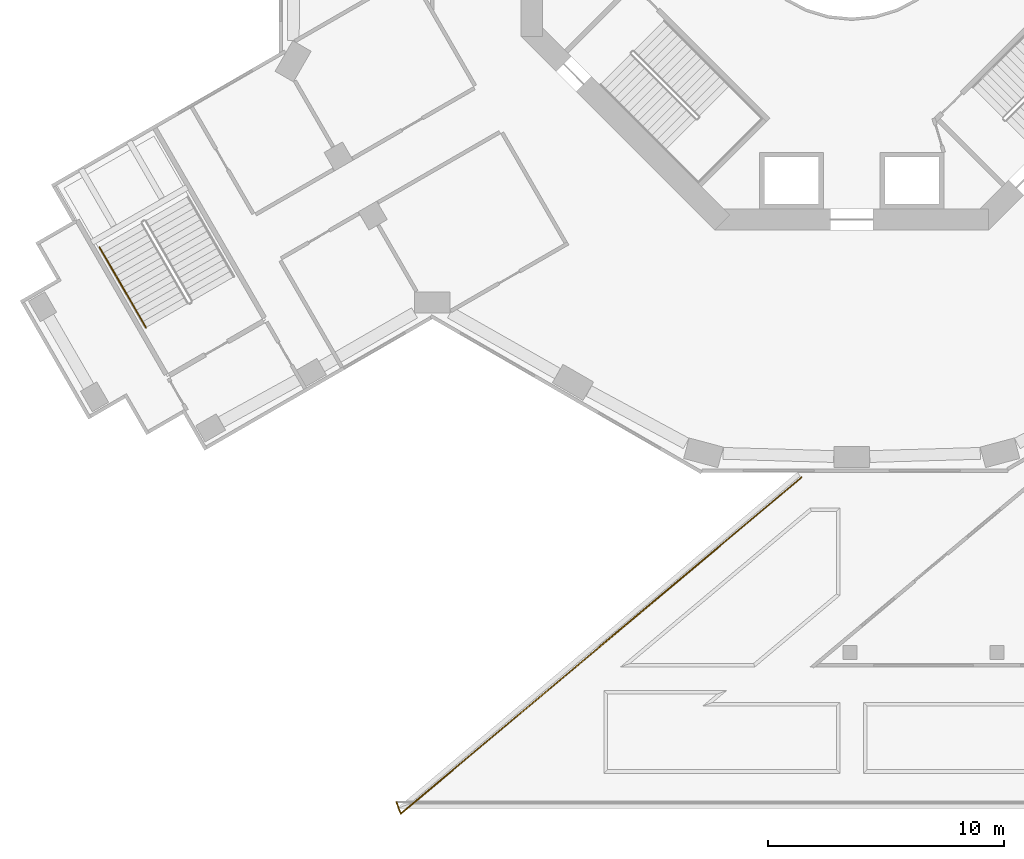
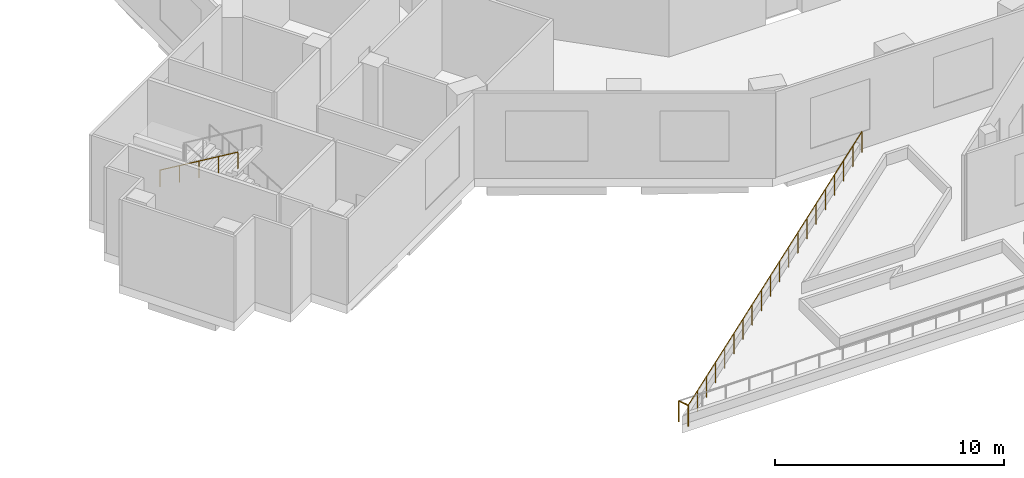
# One storey, part 17 of 24: 3 railings.
"""IFC4 building model written with IfcOpenShell, lengths in metres."""

from ifc_helpers import new_model, si_unit, direction, frame, origin, origin_2d, place, context, subcontext, project, spatial, circle, extrude, material, type_object, element, save


model = new_model("IFC4")

# Units and contexts
model_context = context("Model", 3, precision=1e-05, world=origin(), true_north=direction((0.0, 1.0)))
body_context = subcontext(model_context, "Body", "Model", "MODEL_VIEW")
ifc_project = project(units=[si_unit("LENGTHUNIT", "METRE"), si_unit("AREAUNIT", "SQUARE_METRE"), si_unit("VOLUMEUNIT", "CUBIC_METRE"), si_unit("PLANEANGLEUNIT", "RADIAN"), si_unit("MASSUNIT", "GRAM", prefix="KILO")], contexts=[model_context])

# Site, building, storey
site_placement = place(None, origin())
site = spatial("IfcSite", under=ifc_project, at=site_placement, CompositionType="ELEMENT")
building_placement = place(site_placement, origin())
building = spatial("IfcBuilding", under=site, at=building_placement, Name="Verdalira Terraces Hotel", CompositionType="ELEMENT")
storey_placement = place(building_placement, frame((0.0, 0.0, 14.0)))
storey = spatial("IfcBuildingStorey", under=building, at=storey_placement, Name="L02", CompositionType="ELEMENT", Elevation=14.0)

# Railings
ifc_material_1 = material(Name="Stainless steel", Category="steel")
railing_type_1 = type_object("IfcRailingType", Name="Stair handrail 900", PredefinedType="HANDRAIL", material=ifc_material_1)
railing_1_placement = place(storey_placement, frame((-31.852539, -14.729736, 2.666748)))
element("IfcRailing", 1, at=railing_1_placement, inside=storey, type_object=railing_type_1, Name="L02 PS2 stair handrail 2", PredefinedType="HANDRAIL", context=body_context, shape_type="SweptSolid", body=[
    extrude(circle(Radius=0.023926, at=origin_2d()), frame((0.0, 0.0, 0.875977), z_axis=(0.429646478, -0.744174673, 0.511476256), x_axis=(0.8660269, 0.499997408, 0.0)), (0.0, 0.0, 1.0), 4.561768),
    extrude(circle(Radius=0.020996, at=origin_2d()), origin(), (0.0, 0.0, 1.0), 0.851807),
    extrude(circle(Radius=0.020996, at=origin_2d()), frame((0.48999, -0.848633, 0.583252)), (0.0, 0.0, 1.0), 0.851807),
    extrude(circle(Radius=0.020996, at=origin_2d()), frame((0.97998, -1.697266, 1.166504)), (0.0, 0.0, 1.0), 0.851807),
    extrude(circle(Radius=0.020996, at=origin_2d()), frame((1.469971, -2.546143, 1.75)), (0.0, 0.0, 1.0), 0.851807),
    extrude(circle(Radius=0.020996, at=origin_2d()), frame((1.959961, -3.394775, 2.333252)), (0.0, 0.0, 1.0), 0.851807),
])
ifc_material_2 = material(Name="Clear laminated glass", Category="glass")
railing_type_2 = type_object("IfcRailingType", Name="Terrace glass guard 1120", PredefinedType="GUARDRAIL", material=ifc_material_2)
railing_2_placement = place(storey_placement, frame((-2.12793, -24.4729, 0.0)))
element("IfcRailing", 2, at=railing_2_placement, inside=storey, type_object=railing_type_2, Name="Terrace guard", PredefinedType="GUARDRAIL", context=body_context, shape_type="SweptSolid", body=[
    extrude(circle(Radius=0.023926, at=origin_2d()), frame((0.0, 0.0, 1.096191), z_axis=(-0.76604101, -0.642791701, 0.0), x_axis=(0.642791701, -0.76604101, 0.0)), (0.0, 0.0, 1.0), 22.156006),
    extrude(circle(Radius=0.020996, at=origin_2d()), origin(), (0.0, 0.0, 1.0), 1.072021),
    extrude(circle(Radius=0.020996, at=origin_2d()), frame((-0.893311, -0.749512, 0.0)), (0.0, 0.0, 1.0), 1.072021),
    extrude(circle(Radius=0.020996, at=origin_2d()), frame((-1.786621, -1.499023, 0.0)), (0.0, 0.0, 1.0), 1.072021),
    extrude(circle(Radius=0.020996, at=origin_2d()), frame((-2.679932, -2.248779, 0.0)), (0.0, 0.0, 1.0), 1.072021),
    extrude(circle(Radius=0.020996, at=origin_2d()), frame((-3.573242, -2.998291, 0.0)), (0.0, 0.0, 1.0), 1.072021),
    extrude(circle(Radius=0.020996, at=origin_2d()), frame((-4.466309, -3.747803, 0.0)), (0.0, 0.0, 1.0), 1.072021),
    extrude(circle(Radius=0.020996, at=origin_2d()), frame((-5.359619, -4.497314, 0.0)), (0.0, 0.0, 1.0), 1.072021),
    extrude(circle(Radius=0.020996, at=origin_2d()), frame((-6.25293, -5.246826, 0.0)), (0.0, 0.0, 1.0), 1.072021),
    extrude(circle(Radius=0.020996, at=origin_2d()), frame((-7.14624, -5.996582, 0.0)), (0.0, 0.0, 1.0), 1.072021),
    extrude(circle(Radius=0.020996, at=origin_2d()), frame((-8.039551, -6.746094, 0.0)), (0.0, 0.0, 1.0), 1.072021),
    extrude(circle(Radius=0.020996, at=origin_2d()), frame((-8.932861, -7.495605, 0.0)), (0.0, 0.0, 1.0), 1.072021),
    extrude(circle(Radius=0.020996, at=origin_2d()), frame((-9.826172, -8.245117, 0.0)), (0.0, 0.0, 1.0), 1.072021),
    extrude(circle(Radius=0.020996, at=origin_2d()), frame((-10.719482, -8.994873, 0.0)), (0.0, 0.0, 1.0), 1.072021),
    extrude(circle(Radius=0.020996, at=origin_2d()), frame((-11.612793, -9.744385, 0.0)), (0.0, 0.0, 1.0), 1.072021),
    extrude(circle(Radius=0.020996, at=origin_2d()), frame((-12.506104, -10.493896, 0.0)), (0.0, 0.0, 1.0), 1.072021),
    extrude(circle(Radius=0.020996, at=origin_2d()), frame((-13.39917, -11.243408, 0.0)), (0.0, 0.0, 1.0), 1.072021),
    extrude(circle(Radius=0.020996, at=origin_2d()), frame((-14.29248, -11.99292, 0.0)), (0.0, 0.0, 1.0), 1.072021),
    extrude(circle(Radius=0.020996, at=origin_2d()), frame((-15.185791, -12.742676, 0.0)), (0.0, 0.0, 1.0), 1.072021),
    extrude(circle(Radius=0.020996, at=origin_2d()), frame((-16.079102, -13.492188, 0.0)), (0.0, 0.0, 1.0), 1.072021),
    extrude(circle(Radius=0.020996, at=origin_2d()), frame((-16.972412, -14.241699, 0.0)), (0.0, 0.0, 1.0), 1.072021),
])
railing_3_placement = place(storey_placement, frame((-19.100342, -38.7146, 0.0)))
element("IfcRailing", 3, at=railing_3_placement, inside=storey, type_object=railing_type_2, Name="Terrace guard", PredefinedType="GUARDRAIL", context=body_context, shape_type="SweptSolid", body=[
    extrude(circle(Radius=0.023926, at=origin_2d()), frame((0.0, 0.0, 1.096191), z_axis=(-0.342264332, 0.939603708, 0.0), x_axis=(-0.939603708, -0.342264332, 0.0)), (0.0, 0.0, 1.0), 0.526367),
    extrude(circle(Radius=0.020996, at=origin_2d()), origin(), (0.0, 0.0, 1.0), 1.072021),
    extrude(circle(Radius=0.020996, at=origin_2d()), frame((-0.180176, 0.494629, 0.0)), (0.0, 0.0, 1.0), 1.072021),
])

save(model, "model.ifc")
